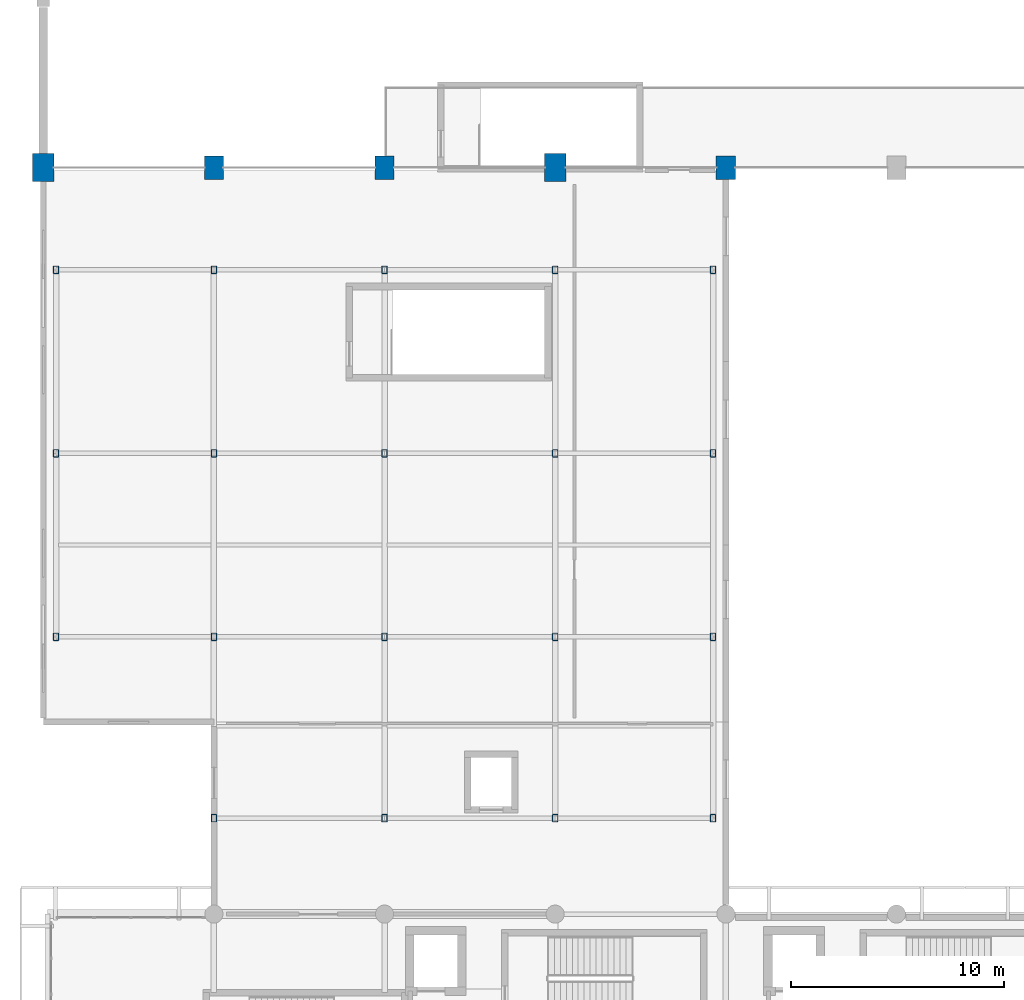
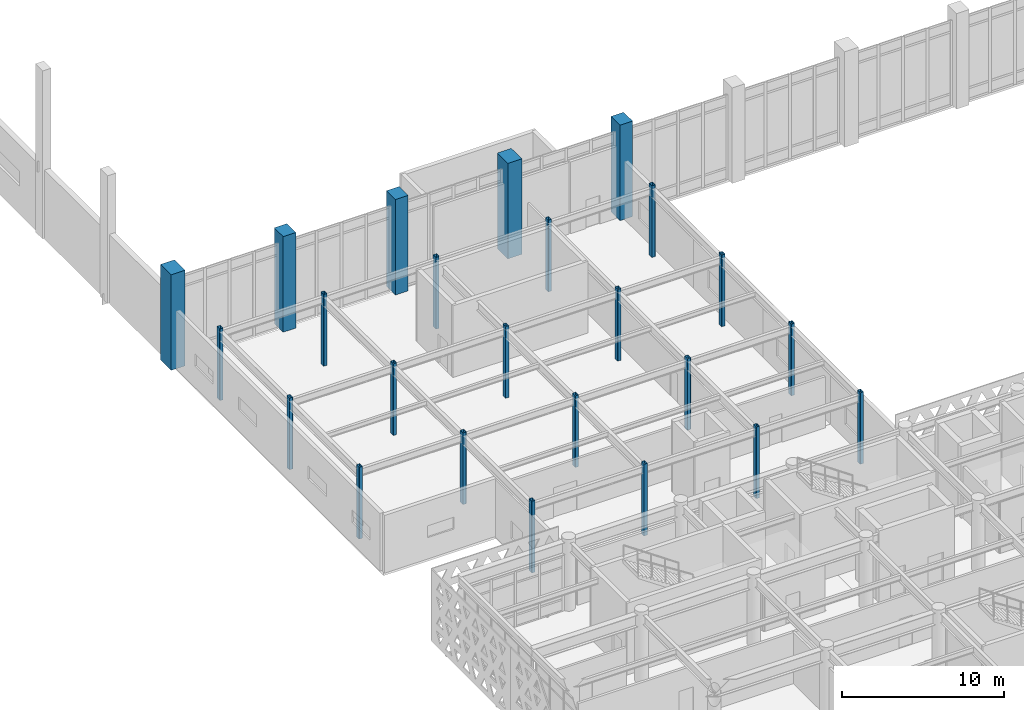
# One storey, part 2 of 84: 24 columns.
"""IFC4 building model written with IfcOpenShell, lengths in metres."""

from ifc_helpers import new_model, si_unit, direction, frame, origin, origin_2d, place, context, subcontext, project, spatial, rectangle, hollow_rectangle, extrude, material, material_profile, profile_set, type_object, element, save


model = new_model("IFC4")

# Units and contexts
model_context = context("Model", 3, precision=1e-05, world=origin(), true_north=direction((0.0, 1.0)))
body_context = subcontext(model_context, "Body", "Model", "MODEL_VIEW")
ifc_project = project(units=[si_unit("LENGTHUNIT", "METRE"), si_unit("AREAUNIT", "SQUARE_METRE"), si_unit("VOLUMEUNIT", "CUBIC_METRE"), si_unit("PLANEANGLEUNIT", "RADIAN"), si_unit("MASSUNIT", "GRAM", prefix="KILO")], contexts=[model_context])

# Site, building, storey
site_placement = place(None, origin())
site = spatial("IfcSite", under=ifc_project, at=site_placement, CompositionType="ELEMENT")
building_placement = place(site_placement, origin())
building = spatial("IfcBuilding", under=site, at=building_placement, Name="Tlacozan Convention Centre", CompositionType="ELEMENT")
storey_placement = place(building_placement, frame((0.0, 0.0, 6.0)))
storey = spatial("IfcBuildingStorey", under=building, at=storey_placement, Name="L01", CompositionType="ELEMENT", Elevation=6.0)

# Columns
ifc_material_1 = material(Name="Concrete C40/50", Category="concrete")
ifc_material_profile_1 = material_profile(ifc_material_1, rectangle(XDim=0.89990234375, YDim=1.10009765625, at=origin_2d()), Name="RC 900x1100")
ifc_profile_set_1 = profile_set([ifc_material_profile_1], Name="Concrete C40/50")
column_type_1 = type_object("IfcColumnType", Name="Column Buttress RC 900x1100", PredefinedType="COLUMN", material=ifc_profile_set_1)
for number, where, z_axis, x_axis, name in (
    (1, (8.0, 62.0, 0.0), (0.0, 0.0, 1.0), (1.0, 0.0, 0.0), "L01 Column 75"),
    (2, (16.0, 62.0, 0.0), (0.0, 0.0, 1.0), (1.0, 0.0, 0.0), "L01 Column 124"),
    (3, (32.0, 62.0, 0.0), (0.0, 0.0, 1.0), (1.0, 0.0, 0.0), "L01 Column 222"),
):
    element("IfcColumn", number, at=place(storey_placement, frame(where, z_axis=z_axis, x_axis=x_axis)), inside=storey, type_object=column_type_1, Name=name, PredefinedType="COLUMN", context=body_context, shape_type="SweptSolid", body=[
        extrude(rectangle(XDim=0.89990234375, YDim=1.10009765625, at=origin_2d()), origin(), (0.0, 0.0, 1.0), 7.199951171875),
    ])
ifc_material_profile_2 = material_profile(ifc_material_1, rectangle(XDim=1.0, YDim=1.300048828125, at=origin_2d()), Name="RC 1000x1300")
ifc_profile_set_2 = profile_set([ifc_material_profile_2], Name="Concrete C40/50")
column_type_2 = type_object("IfcColumnType", Name="Column Mega Buttress RC 1000x1300", PredefinedType="COLUMN", material=ifc_profile_set_2)
for number, where, z_axis, x_axis, name in (
    (4, (0.0, 62.0, 0.0), (0.0, 0.0, 1.0), (1.0, 0.0, 0.0), "L01 Column 3"),
    (5, (24.0, 62.0, 0.0), (0.0, 0.0, 1.0), (1.0, 0.0, 0.0), "L01 Column 173"),
):
    element("IfcColumn", number, at=place(storey_placement, frame(where, z_axis=z_axis, x_axis=x_axis)), inside=storey, type_object=column_type_2, Name=name, PredefinedType="COLUMN", context=body_context, shape_type="SweptSolid", body=[
        extrude(rectangle(XDim=1.0, YDim=1.300048828125, at=origin_2d()), origin(), (0.0, 0.0, 1.0), 7.199951171875),
    ])
ifc_material_2 = material(Name="Steel ASTM A500 Grade C", Category="steel")
ifc_material_profile_3 = material_profile(ifc_material_2, hollow_rectangle(XDim=0.25390625, YDim=0.355712890625, WallThickness=0.015869140625, InnerFilletRadius=0.015869140625, OuterFilletRadius=0.031982421875, at=origin_2d()), Name="OR 356x254x15.9")
ifc_profile_set_3 = profile_set([ifc_material_profile_3], Name="Steel ASTM A500 Grade C")
column_type_3 = type_object("IfcColumnType", Name="Column Tube OR 356x254x15.9", PredefinedType="COLUMN", material=ifc_profile_set_3)
for number, where, z_axis, x_axis, name in (
    (6, (0.60009765625, 40.0, 0.0), (0.0, 0.0, 1.0), (1.0, 0.0, 0.0), "L01 Column 30"),
    (7, (0.60009765625, 48.60009765625, 0.0), (0.0, 0.0, 1.0), (1.0, 0.0, 0.0), "L01 Column 33"),
    (8, (0.60009765625, 57.199951171875, 0.0), (0.0, 0.0, 1.0), (1.0, 0.0, 0.0), "L01 Column 36"),
    (9, (8.0, 31.5, 0.0), (0.0, 0.0, 1.0), (1.0, 0.0, 0.0), "L01 Column 63"),
    (10, (8.0, 40.0, 0.0), (0.0, 0.0, 1.0), (1.0, 0.0, 0.0), "L01 Column 66"),
    (11, (8.0, 48.60009765625, 0.0), (0.0, 0.0, 1.0), (1.0, 0.0, 0.0), "L01 Column 69"),
    (12, (8.0, 57.199951171875, 0.0), (0.0, 0.0, 1.0), (1.0, 0.0, 0.0), "L01 Column 72"),
    (13, (16.0, 31.5, 0.0), (0.0, 0.0, 1.0), (1.0, 0.0, 0.0), "L01 Column 112"),
    (14, (16.0, 40.0, 0.0), (0.0, 0.0, 1.0), (1.0, 0.0, 0.0), "L01 Column 115"),
    (15, (16.0, 48.60009765625, 0.0), (0.0, 0.0, 1.0), (1.0, 0.0, 0.0), "L01 Column 118"),
    (16, (16.0, 57.199951171875, 0.0), (0.0, 0.0, 1.0), (1.0, 0.0, 0.0), "L01 Column 121"),
    (17, (24.0, 31.5, 0.0), (0.0, 0.0, 1.0), (1.0, 0.0, 0.0), "L01 Column 161"),
    (18, (24.0, 40.0, 0.0), (0.0, 0.0, 1.0), (1.0, 0.0, 0.0), "L01 Column 164"),
    (19, (24.0, 48.60009765625, 0.0), (0.0, 0.0, 1.0), (1.0, 0.0, 0.0), "L01 Column 167"),
    (20, (24.0, 57.199951171875, 0.0), (0.0, 0.0, 1.0), (1.0, 0.0, 0.0), "L01 Column 170"),
    (21, (31.39990234375, 31.5, 0.0), (0.0, 0.0, 1.0), (1.0, 0.0, 0.0), "L01 Column 186"),
    (22, (31.39990234375, 40.0, 0.0), (0.0, 0.0, 1.0), (1.0, 0.0, 0.0), "L01 Column 189"),
    (23, (31.39990234375, 48.60009765625, 0.0), (0.0, 0.0, 1.0), (1.0, 0.0, 0.0), "L01 Column 192"),
    (24, (31.39990234375, 57.199951171875, 0.0), (0.0, 0.0, 1.0), (1.0, 0.0, 0.0), "L01 Column 195"),
):
    element("IfcColumn", number, at=place(storey_placement, frame(where, z_axis=z_axis, x_axis=x_axis)), inside=storey, type_object=column_type_3, Name=name, PredefinedType="COLUMN", context=body_context, shape_type="SweptSolid", body=[
        extrude(hollow_rectangle(XDim=0.25390625, YDim=0.355712890625, WallThickness=0.015869140625, InnerFilletRadius=0.015869140625, OuterFilletRadius=0.031982421875, at=origin_2d()), origin(), (0.0, 0.0, 1.0), 5.39990234375),
    ])

save(model, "model.ifc")
